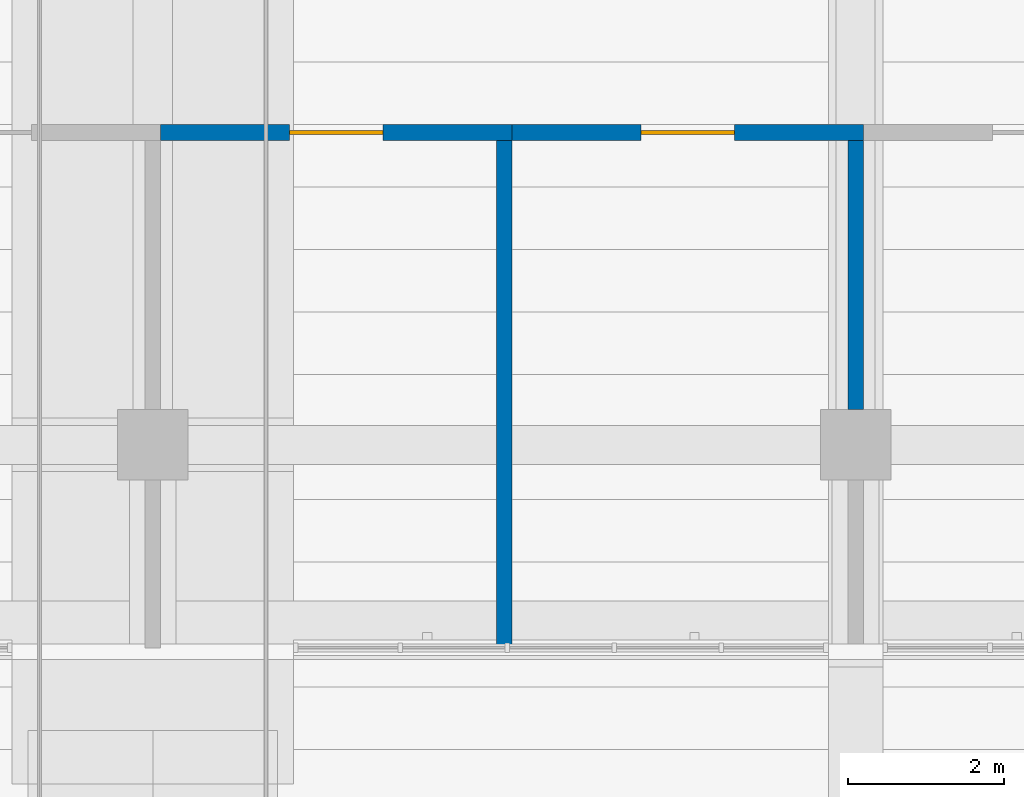
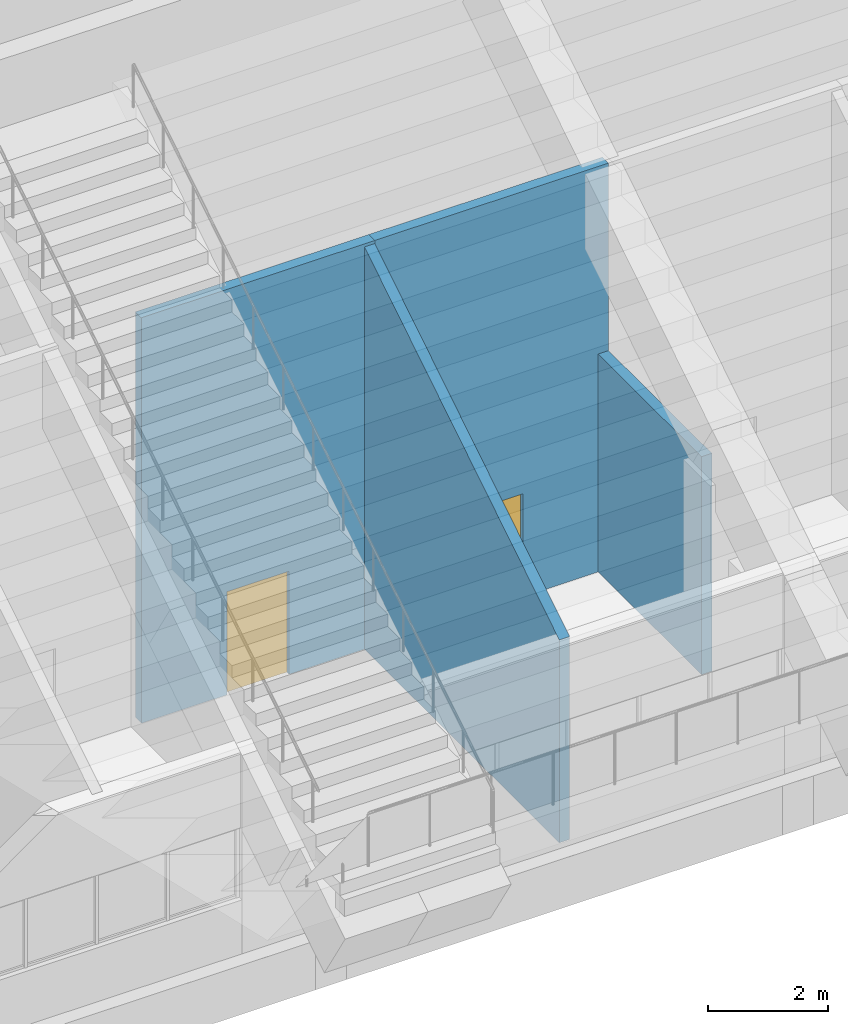
# One storey, part 86 of 182: 4 walls, 2 doors, 2 openings.
"""IFC4 building model written with IfcOpenShell, lengths in metres."""

from ifc_helpers import new_model, si_unit, direction, frame, frame_2d, origin, place, context, subcontext, project, spatial, polyline, rectangle, outline, extrude, material, layer, layer_set, type_object, element, fill, save


model = new_model("IFC4")

# Units and contexts
model_context = context("Model", 3, precision=1e-05, world=origin(), true_north=direction((0.0, 1.0)))
body_context = subcontext(model_context, "Body", "Model", "MODEL_VIEW")
ifc_project = project(units=[si_unit("LENGTHUNIT", "METRE"), si_unit("AREAUNIT", "SQUARE_METRE"), si_unit("VOLUMEUNIT", "CUBIC_METRE"), si_unit("PLANEANGLEUNIT", "RADIAN"), si_unit("MASSUNIT", "GRAM", prefix="KILO")], contexts=[model_context])

# Site, building, storey
site_placement = place(None, origin())
site = spatial("IfcSite", under=ifc_project, at=site_placement, CompositionType="ELEMENT")
building_placement = place(site_placement, origin())
building = spatial("IfcBuilding", under=site, at=building_placement, Name="Silverbay Arena", CompositionType="ELEMENT")
storey_placement = place(building_placement, frame((0.0, 0.0, 11.5)))
storey = spatial("IfcBuildingStorey", under=building, at=storey_placement, Name="L02", CompositionType="ELEMENT", Elevation=11.5)

# Wall, opening, door
ifc_material_1 = material(Name="Masonry blockwork partition", Category="masonry")
ifc_layer_1 = layer(ifc_material_1, 0.199951171875)
ifc_layer_set_1 = layer_set([ifc_layer_1], Name="Masonry blockwork partition")
wall_type_1 = type_object("IfcWallType", Name="Partition 200 EI 120", PredefinedType="PARTITIONING", material=ifc_layer_set_1)
wall_1_placement = place(storey_placement, frame((126.10009765625, 121.0, 0.0), z_axis=(0.0, 0.0, 1.0), x_axis=(1.0, 0.0, 0.0)))
wall_1 = element("IfcWall", 1, at=wall_1_placement, inside=storey, type_object=wall_type_1, Name="Partition wall", PredefinedType="PARTITIONING", context=body_context, shape_type="SweptSolid", body=[
    extrude(rectangle(XDim=4.5, YDim=0.199951171875, at=frame_2d((2.25, 0.0))), origin(), (0.0, 0.0, 1.0), 8.257568359375),
])
opening_1_placement = place(wall_1_placement, frame((1.64990234375, 0.0, 0.0)))
opening_1 = element("IfcOpeningElement", 2, at=opening_1_placement, cuts=wall_1, Name="Opening L02-045", PredefinedType="OPENING", context=body_context, shape_type="SweptSolid", body=[
    extrude(rectangle(XDim=1.199951171875, YDim=2.10009765625, at=frame_2d((0.60009765625, 1.050048828125))), frame((0.0, 0.10986328125, 0.0), z_axis=(0.0, -1.0, 0.0), x_axis=(1.0, 0.0, 0.0)), (0.0, 0.0, 1.0), 0.219970703125),
])
ifc_material_2 = material(Name="Steel faced timber", Category="steel")
door_type = type_object("IfcDoorType", Name="Single leaf door 1200 x 2100 FD120", OperationType="SINGLE_SWING_LEFT", PredefinedType="DOOR", material=ifc_material_2)
door_1_placement = place(opening_1_placement, frame((1.199951171875, 0.0, 0.0), z_axis=(0.0, 0.0, 1.0), x_axis=(-1.0, 0.0, 0.0)))
door_1 = element("IfcDoor", 3, at=door_1_placement, inside=storey, type_object=door_type, Name="Door L02-045", OperationType="SINGLE_SWING_RIGHT", OverallHeight=2.10009765625, OverallWidth=1.199951171875, PredefinedType="DOOR", context=body_context, shape_type="SweptSolid", body=[
    extrude(rectangle(XDim=1.199951171875, YDim=2.10009765625, at=frame_2d((0.60009765625, 1.050048828125))), frame((0.0, 0.02490234375, 0.0), z_axis=(0.0, -1.0, 0.0), x_axis=(1.0, 0.0, 0.0)), (0.0, 0.0, 1.0), 0.050048828125),
])
fill(opening_1, door_1)

wall_2_placement = place(storey_placement, frame((130.60009765625, 121.0, 0.0), z_axis=(0.0, 0.0, 1.0), x_axis=(1.0, 0.0, 0.0)))
wall_2 = element("IfcWall", 4, at=wall_2_placement, inside=storey, type_object=wall_type_1, Name="Partition wall", PredefinedType="PARTITIONING", context=body_context, shape_type="SweptSolid", body=[
    extrude(rectangle(XDim=4.5, YDim=0.199951171875, at=frame_2d((2.25, 0.0))), origin(), (0.0, 0.0, 1.0), 8.257568359375),
])
opening_2_placement = place(wall_2_placement, frame((1.64990234375, 0.0, 0.0)))
opening_2 = element("IfcOpeningElement", 5, at=opening_2_placement, cuts=wall_2, Name="Opening L02-046", PredefinedType="OPENING", context=body_context, shape_type="SweptSolid", body=[
    extrude(rectangle(XDim=1.199951171875, YDim=2.10009765625, at=frame_2d((0.60009765625, 1.050048828125))), frame((0.0, 0.10986328125, 0.0), z_axis=(0.0, -1.0, 0.0), x_axis=(1.0, 0.0, 0.0)), (0.0, 0.0, 1.0), 0.219970703125),
])
door_2_placement = place(opening_2_placement, frame((1.199951171875, 0.0, 0.0), z_axis=(0.0, 0.0, 1.0), x_axis=(-1.0, 0.0, 0.0)))
door_2 = element("IfcDoor", 6, at=door_2_placement, inside=storey, type_object=door_type, Name="Door L02-046", OperationType="SINGLE_SWING_LEFT", OverallHeight=2.10009765625, OverallWidth=1.199951171875, PredefinedType="DOOR", context=body_context, shape_type="SweptSolid", body=[
    extrude(rectangle(XDim=1.199951171875, YDim=2.10009765625, at=frame_2d((0.60009765625, 1.050048828125))), frame((0.0, 0.02490234375, 0.0), z_axis=(0.0, -1.0, 0.0), x_axis=(1.0, 0.0, 0.0)), (0.0, 0.0, 1.0), 0.050048828125),
])
fill(opening_2, door_2)

# Walls
ifc_material_3 = material(Name="Gypsum board partition on steel studs", Category="steel")
ifc_layer_2 = layer(ifc_material_3, 0.199951171875)
ifc_layer_set_2 = layer_set([ifc_layer_2], Name="Gypsum board partition on steel studs")
wall_type_2 = type_object("IfcWallType", Name="Partition 200 EI 60", PredefinedType="PARTITIONING", material=ifc_layer_set_2)
wall_3_placement = place(storey_placement, frame((130.5, 114.39990234375, 0.0), z_axis=(0.0, 0.0, 1.0), x_axis=(0.0, 1.0, 0.0)))
element("IfcWall", 7, at=wall_3_placement, inside=storey, type_object=wall_type_2, Name="Partition wall", PredefinedType="PARTITIONING", context=body_context, shape_type="SweptSolid", body=[
    extrude(outline(polyline([(0.0, 0.0), (6.5, 0.0), (6.5, 8.195068359375), (0.0, 4.132568359375), (0.0, 0.0)])), frame((0.0, 0.10009765625, 0.0), z_axis=(0.0, -1.0, 0.0), x_axis=(1.0, 0.0, 0.0)), (0.0, 0.0, 1.0), 0.199951171875),
])
wall_4_placement = place(storey_placement, frame((135.0, 117.449951171875, 0.0), z_axis=(0.0, 0.0, 1.0), x_axis=(0.0, 1.0, 0.0)))
element("IfcWall", 8, at=wall_4_placement, inside=storey, type_object=wall_type_2, Name="Partition wall", PredefinedType="PARTITIONING", context=body_context, shape_type="SweptSolid", body=[
    extrude(rectangle(XDim=3.449951171875, YDim=0.199951171875, at=frame_2d((1.72509765625, 0.0))), origin(), (0.0, 0.0, 1.0), 4.43896484375),
])

save(model, "model.ifc")
